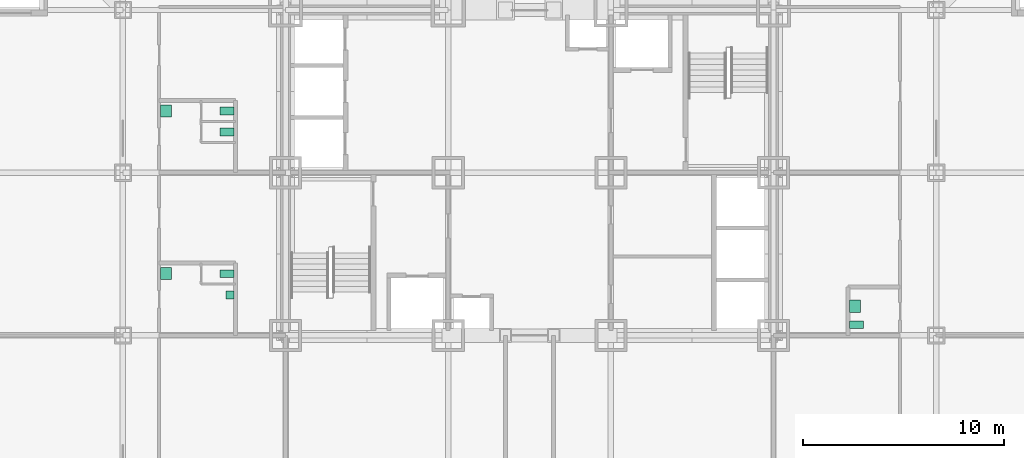
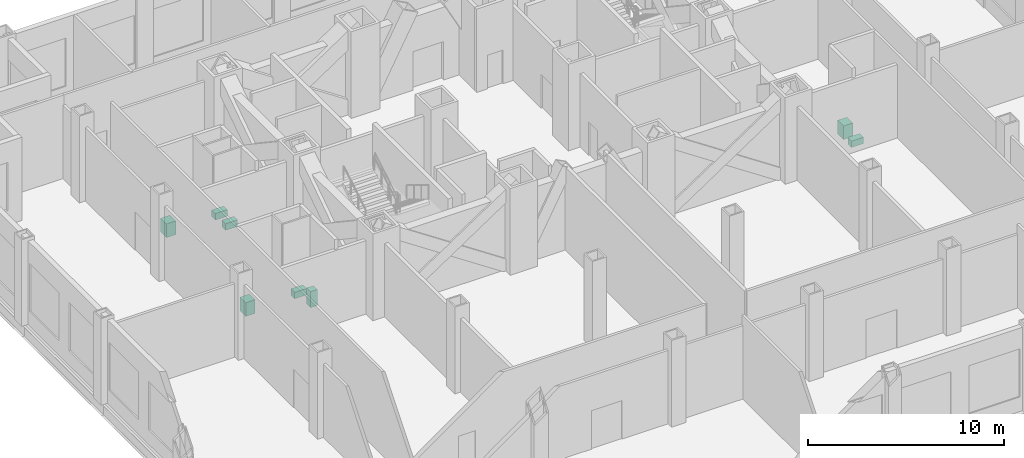
# One storey, part 10 of 10: 8 sanitary terminals.
"""IFC4 building model written with IfcOpenShell, lengths in metres."""

from ifc_helpers import new_model, si_unit, direction, frame, origin, origin_2d, place, context, subcontext, project, spatial, rectangle, extrude, material, element, save


model = new_model("IFC4")

# Units and contexts
model_context = context("Model", 3, precision=1e-05, world=origin(), true_north=direction((0.0, 1.0)))
body_context = subcontext(model_context, "Body", "Model", "MODEL_VIEW")
ifc_project = project(units=[si_unit("LENGTHUNIT", "METRE"), si_unit("AREAUNIT", "SQUARE_METRE"), si_unit("VOLUMEUNIT", "CUBIC_METRE"), si_unit("PLANEANGLEUNIT", "RADIAN"), si_unit("MASSUNIT", "GRAM", prefix="KILO")], contexts=[model_context])

# Site, building, storey
site_placement = place(None, origin())
site = spatial("IfcSite", under=ifc_project, at=site_placement, CompositionType="ELEMENT")
building_placement = place(site_placement, origin())
building = spatial("IfcBuilding", under=site, at=building_placement, Name="Kopane Lantern Tower", CompositionType="ELEMENT")
storey_placement = place(building_placement, frame((0.0, 0.0, 27.60009765625)))
storey = spatial("IfcBuildingStorey", under=building, at=storey_placement, Name="L05", CompositionType="ELEMENT", Elevation=27.60009765625)

# Sanitary terminals
ifc_material = material(Name="Vitreous china")
sanitary_terminal_1_placement = place(storey_placement, frame((13.27490234375, 27.375, 0.0), z_axis=(0.0, 0.0, 1.0), x_axis=(1.0, 0.0, 0.0)))
element("IfcSanitaryTerminal", 1, at=sanitary_terminal_1_placement, inside=storey, material=ifc_material, Name="WC pan L05", PredefinedType="TOILETPAN", context=body_context, shape_type="SweptSolid", body=[
    extrude(rectangle(XDim=0.699951171875, YDim=0.3798828125, at=origin_2d()), origin(), (0.0, 0.0, 1.0), 0.39990234375),
])
sanitary_terminal_2_placement = place(storey_placement, frame((13.425048828125, 26.300048828125, 0.0), z_axis=(0.0, 0.0, 1.0), x_axis=(1.0, 0.0, 0.0)))
element("IfcSanitaryTerminal", 2, at=sanitary_terminal_2_placement, inside=storey, material=ifc_material, Name="Urinal L05", PredefinedType="URINAL", context=body_context, shape_type="SweptSolid", body=[
    extrude(rectangle(XDim=0.39990234375, YDim=0.39990234375, at=origin_2d()), origin(), (0.0, 0.0, 1.0), 1.0),
])
sanitary_terminal_3_placement = place(storey_placement, frame((10.25, 27.375, -0.000244140625), z_axis=(0.0, 0.0, 1.0), x_axis=(1.0, 0.0, 0.0)))
element("IfcSanitaryTerminal", 3, at=sanitary_terminal_3_placement, inside=storey, material=ifc_material, Name="Wash basin L05", PredefinedType="WASHHANDBASIN", context=body_context, shape_type="SweptSolid", body=[
    extrude(rectangle(XDim=0.550048828125, YDim=0.60009765625, at=origin_2d()), origin(), (0.0, 0.0, 1.0), 0.85009765625),
])
for number, where, z_axis, x_axis, name in (
    (4, (13.27490234375, 34.425048828125, 0.0), (0.0, 0.0, 1.0), (1.0, 0.0, 0.0), "WC pan L05"),
    (5, (13.27490234375, 35.47509765625, 0.0), (0.0, 0.0, 1.0), (1.0, 0.0, 0.0), "WC pan L05"),
):
    element("IfcSanitaryTerminal", number, at=place(storey_placement, frame(where, z_axis=z_axis, x_axis=x_axis)), inside=storey, material=ifc_material, Name=name, PredefinedType="TOILETPAN", context=body_context, shape_type="SweptSolid", body=[
        extrude(rectangle(XDim=0.699951171875, YDim=0.3798828125, at=origin_2d()), origin(), (0.0, 0.0, 1.0), 0.39990234375),
    ])
sanitary_terminal_4_placement = place(storey_placement, frame((10.25, 35.47509765625, -0.000244140625), z_axis=(0.0, 0.0, 1.0), x_axis=(1.0, 0.0, 0.0)))
element("IfcSanitaryTerminal", 6, at=sanitary_terminal_4_placement, inside=storey, material=ifc_material, Name="Wash basin L05", PredefinedType="WASHHANDBASIN", context=body_context, shape_type="SweptSolid", body=[
    extrude(rectangle(XDim=0.550048828125, YDim=0.60009765625, at=origin_2d()), origin(), (0.0, 0.0, 1.0), 0.85009765625),
])
sanitary_terminal_5_placement = place(storey_placement, frame((44.625, 24.824951171875, 0.0), z_axis=(0.0, 0.0, 1.0), x_axis=(1.0, 0.0, 0.0)))
element("IfcSanitaryTerminal", 7, at=sanitary_terminal_5_placement, inside=storey, material=ifc_material, Name="WC pan L05", PredefinedType="TOILETPAN", context=body_context, shape_type="SweptSolid", body=[
    extrude(rectangle(XDim=0.699951171875, YDim=0.3798828125, at=origin_2d()), origin(), (0.0, 0.0, 1.0), 0.39990234375),
])
sanitary_terminal_6_placement = place(storey_placement, frame((44.550048828125, 25.75, -0.000244140625), z_axis=(0.0, 0.0, 1.0), x_axis=(1.0, 0.0, 0.0)))
element("IfcSanitaryTerminal", 8, at=sanitary_terminal_6_placement, inside=storey, material=ifc_material, Name="Wash basin L05", PredefinedType="WASHHANDBASIN", context=body_context, shape_type="SweptSolid", body=[
    extrude(rectangle(XDim=0.550048828125, YDim=0.60009765625, at=origin_2d()), origin(), (0.0, 0.0, 1.0), 0.85009765625),
])

save(model, "model.ifc")
